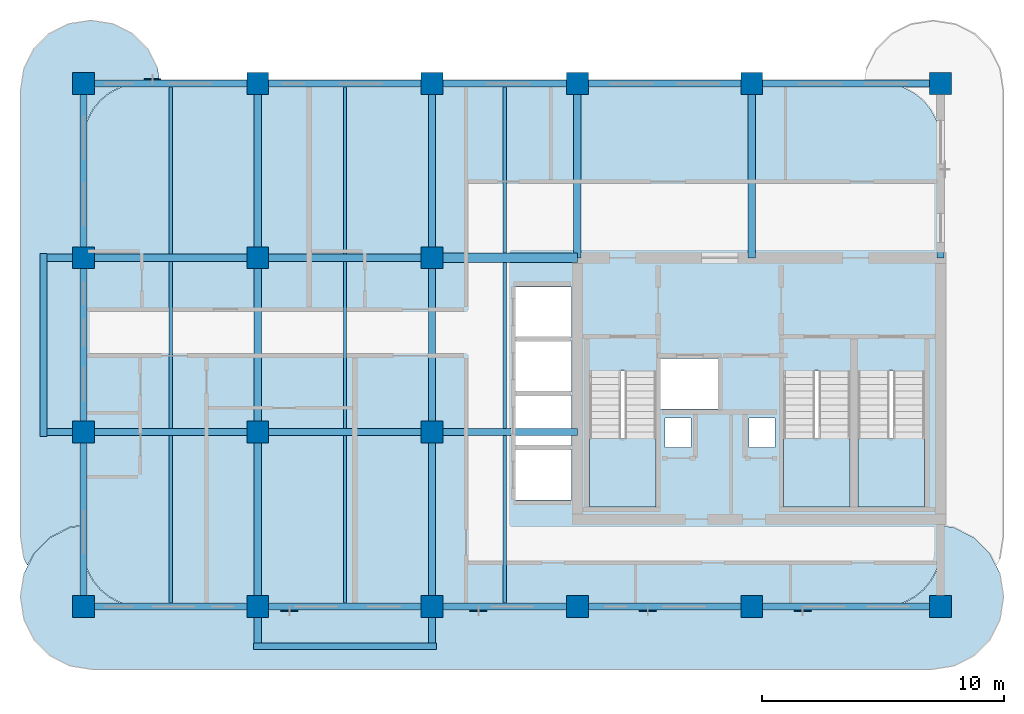
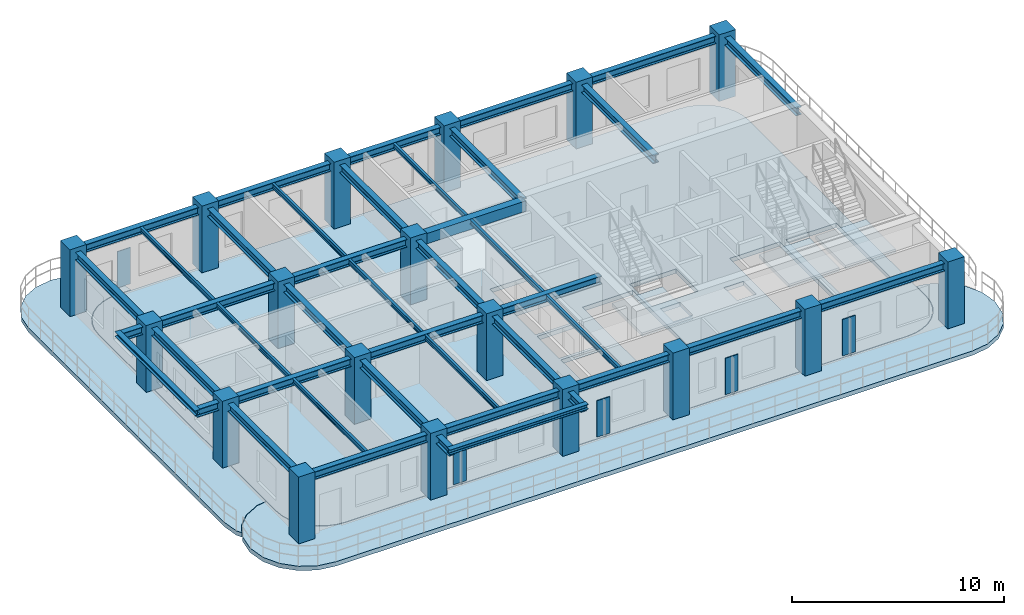
# One storey, part 1 of 7: 39 beams, 18 columns, 6 slabs, 5 plates, 3 elements without a shape of their own.
"""IFC4 building model written with IfcOpenShell, lengths in metres."""

from ifc_helpers import new_model, si_unit, derived_unit, direction, frame, origin, origin_2d, place, context, subcontext, project, spatial, polyline, rectangle, i_section, outline, extrude, source, transform, mapped, material, layer, layer_set, material_profile, profile_set, type_object, type_shapes, element, aggregate, save


model = new_model("IFC4")

# Units and contexts
model_context = context("Model", 3, precision=1e-05, world=origin(), true_north=direction((0.0, 1.0)))
body_context = subcontext(model_context, "Body", "Model", "MODEL_VIEW")
ifc_project = project(units=[si_unit("LENGTHUNIT", "METRE"), si_unit("AREAUNIT", "SQUARE_METRE"), si_unit("VOLUMEUNIT", "CUBIC_METRE"), si_unit("PLANEANGLEUNIT", "RADIAN"), si_unit("MASSUNIT", "GRAM", prefix="KILO"), si_unit("THERMODYNAMICTEMPERATUREUNIT", "KELVIN"), si_unit("POWERUNIT", "WATT"), derived_unit("THERMALTRANSMITTANCEUNIT", [(si_unit("POWERUNIT", "WATT"), 1), (si_unit("AREAUNIT", "SQUARE_METRE"), -1), (si_unit("THERMODYNAMICTEMPERATUREUNIT", "KELVIN"), -1)])], contexts=[model_context])

# Site, building, storey
site_placement = place(None, origin())
site = spatial("IfcSite", under=ifc_project, at=site_placement, CompositionType="ELEMENT")
building_placement = place(site_placement, origin())
building = spatial("IfcBuilding", under=site, at=building_placement, Name="Zahravan Archway Hotel and Residences", CompositionType="ELEMENT")
storey_placement = place(building_placement, frame((0.0, 0.0, 240.39990234375)))
storey = spatial("IfcBuildingStorey", under=building, at=storey_placement, Name="L60", CompositionType="ELEMENT", Elevation=240.39990234375)

# Columns
ifc_material_1 = material(Name="Concrete C60/75", Category="concrete")
ifc_material_profile_1 = material_profile(ifc_material_1, rectangle(XDim=0.89990234375, YDim=0.89990234375, at=origin_2d()), Name="RC-COL-900x900", Category="concrete")
ifc_profile_set_1 = profile_set([ifc_material_profile_1], Name="Concrete C60/75")
column_type = type_object("IfcColumnType", Name="COL-RC-900", PredefinedType="COLUMN", material=ifc_profile_set_1)
shared_shape_1 = source(origin(), body_context, "Body", "SweptSolid", [
    extrude(rectangle(XDim=0.89990234375, YDim=0.89990234375, at=origin_2d()), origin(), (0.0, 0.0, 1.0), 3.85009765625),
])
type_shapes(column_type, [shared_shape_1])
for number, where, z_axis, x_axis, name in (
    (1, (14.39990234375, 0.0, 0.0), (0.0, 0.0, 1.0), (1.0, 0.0, 0.0), "L60 Column 3-A"),
    (2, (14.39990234375, 7.199951171875, 0.0), (0.0, 0.0, 1.0), (1.0, 0.0, 0.0), "L60 Column 3-B"),
    (3, (14.39990234375, 14.39990234375, 0.0), (0.0, 0.0, 1.0), (1.0, 0.0, 0.0), "L60 Column 3-C"),
    (4, (14.39990234375, 21.60009765625, 0.0), (0.0, 0.0, 1.0), (1.0, 0.0, 0.0), "L60 Column 3-D"),
    (5, (21.60009765625, 0.0, 0.0), (0.0, 0.0, 1.0), (1.0, 0.0, 0.0), "L60 Column 4-A"),
    (6, (21.60009765625, 7.199951171875, 0.0), (0.0, 0.0, 1.0), (1.0, 0.0, 0.0), "L60 Column 4-B"),
    (7, (21.60009765625, 14.39990234375, 0.0), (0.0, 0.0, 1.0), (1.0, 0.0, 0.0), "L60 Column 4-C"),
    (8, (21.60009765625, 21.60009765625, 0.0), (0.0, 0.0, 1.0), (1.0, 0.0, 0.0), "L60 Column 4-D"),
    (9, (28.800048828125, 0.0, 0.0), (0.0, 0.0, 1.0), (1.0, 0.0, 0.0), "L60 Column 5-A"),
    (10, (28.800048828125, 7.199951171875, 0.0), (0.0, 0.0, 1.0), (1.0, 0.0, 0.0), "L60 Column 5-B"),
    (11, (28.800048828125, 14.39990234375, 0.0), (0.0, 0.0, 1.0), (1.0, 0.0, 0.0), "L60 Column 5-C"),
    (12, (28.800048828125, 21.60009765625, 0.0), (0.0, 0.0, 1.0), (1.0, 0.0, 0.0), "L60 Column 5-D"),
    (13, (34.800048828125, 0.0, 0.0), (0.0, 0.0, 1.0), (1.0, 0.0, 0.0), "L60 Column 6-A"),
    (14, (34.800048828125, 21.60009765625, 0.0), (0.0, 0.0, 1.0), (1.0, 0.0, 0.0), "L60 Column 6-D"),
    (15, (42.0, 0.0, 0.0), (0.0, 0.0, 1.0), (1.0, 0.0, 0.0), "L60 Column 7-A"),
    (16, (42.0, 21.60009765625, 0.0), (0.0, 0.0, 1.0), (1.0, 0.0, 0.0), "L60 Column 7-D"),
    (17, (49.800048828125, 0.0, 0.0), (0.0, 0.0, 1.0), (1.0, 0.0, 0.0), "L60 Column 8-A"),
    (18, (49.800048828125, 21.60009765625, 0.0), (0.0, 0.0, 1.0), (1.0, 0.0, 0.0), "L60 Column 8-D"),
):
    element("IfcColumn", number, at=place(storey_placement, frame(where, z_axis=z_axis, x_axis=x_axis)), inside=storey, type_object=column_type, Name=name, PredefinedType="COLUMN", context=body_context, shape_type="MappedRepresentation", body=[
        mapped(shared_shape_1, transform((0.0, 0.0, 0.0), scale=1.0)),
    ])

# Beams
ifc_material_2 = material(Name="Structural Steel S355JR", Category="steel")
ifc_material_profile_2 = material_profile(ifc_material_2, i_section(OverallWidth=0.280029296875, OverallDepth=0.280029296875, WebThickness=0.010498046875, FlangeThickness=0.01806640625, FilletRadius=0.02392578125, at=origin_2d()), Name="HEB 280", Category="steel")
ifc_profile_set_2 = profile_set([ifc_material_profile_2], Name="Structural Steel S355JR")
beam_type_1 = type_object("IfcBeamType", Name="BM-SPN-HEB280", PredefinedType="SPANDREL", material=ifc_profile_set_2)
shared_shape_2 = source(origin(), body_context, "Body", "SweptSolid", [
    extrude(i_section(OverallWidth=0.280029296875, OverallDepth=0.280029296875, WebThickness=0.010498046875, FlangeThickness=0.01806640625, FilletRadius=0.02392578125, at=origin_2d()), origin(), (0.0, 0.0, 1.0), 7.56005859375),
])
type_shapes(beam_type_1, [shared_shape_2])
for number, where, z_axis, x_axis, name in (
    (19, (12.75, 7.02001953125, 3.460205078125), (0.0, 1.0, 0.0), (-1.0, 0.0, 0.0), "L61 WA Balcony Edge Spandrel"),
    (20, (21.419921875, -1.64990234375, 3.460205078125), (1.0, 0.0, 0.0), (0.0, 1.0, 0.0), "L61 SA Balcony Edge Spandrel"),
):
    element("IfcBeam", number, at=place(storey_placement, frame(where, z_axis=z_axis, x_axis=x_axis)), inside=storey, type_object=beam_type_1, Name=name, PredefinedType="SPANDREL", context=body_context, shape_type="MappedRepresentation", body=[
        mapped(shared_shape_2, transform((0.0, 0.0, 0.0), scale=1.0)),
    ])
ifc_material_profile_3 = material_profile(ifc_material_1, rectangle(XDim=0.39990234375, YDim=0.60009765625, at=origin_2d()), Name="RC-LNT-400x600", Category="concrete")
ifc_profile_set_3 = profile_set([ifc_material_profile_3], Name="Concrete C60/75")
beam_type_2 = type_object("IfcBeamType", Name="LNT-RC-400x600", PredefinedType="LINTEL", material=ifc_profile_set_3)
shared_shape_3 = source(origin(), body_context, "Body", "SweptSolid", [
    extrude(rectangle(XDim=0.39990234375, YDim=0.60009765625, at=origin_2d()), origin(), (0.0, 0.0, 1.0), 6.0),
])
type_shapes(beam_type_2, [shared_shape_3])
beam_placement = place(storey_placement, frame((28.800048828125, 14.39990234375, 3.300048828125), z_axis=(1.0, 0.0, 0.0), x_axis=(0.0, 1.0, 0.0)))
element("IfcBeam", 21, at=beam_placement, inside=storey, type_object=beam_type_2, Name="L60 Core A Coupling Lintel Beam", PredefinedType="LINTEL", context=body_context, shape_type="MappedRepresentation", body=[
    mapped(shared_shape_3, transform((0.0, 0.0, 0.0), scale=1.0)),
])
ifc_material_profile_4 = material_profile(ifc_material_2, i_section(OverallWidth=0.300048828125, OverallDepth=0.449951171875, WebThickness=0.013916015625, FlangeThickness=0.02587890625, FilletRadius=0.027099609375, at=origin_2d()), Name="HEB 450", Category="steel")
ifc_profile_set_4 = profile_set([ifc_material_profile_4], Name="Structural Steel S355JR")
beam_type_3 = type_object("IfcBeamType", Name="BM-PRI-HEB450", PredefinedType="BEAM", material=ifc_profile_set_4)
shared_shape_4 = source(origin(), body_context, "Body", "SweptSolid", [
    extrude(i_section(OverallWidth=0.300048828125, OverallDepth=0.449951171875, WebThickness=0.013916015625, FlangeThickness=0.02587890625, FilletRadius=0.027099609375, at=origin_2d()), origin(), (0.0, 0.0, 1.0), 7.2001953125),
])
type_shapes(beam_type_3, [shared_shape_4])
for number, where, z_axis, x_axis, name in (
    (22, (14.39990234375, 0.0, 3.375), (1.0, 0.0, 0.0), (0.0, 1.0, 0.0), "L60 Primary Girder EW-01"),
    (23, (14.39990234375, 21.60009765625, 3.375), (1.0, 0.0, 0.0), (0.0, 1.0, 0.0), "L60 Primary Girder EW-11"),
    (24, (14.39990234375, 14.39990234375, 3.375), (0.0, 1.0, 0.0), (-1.0, 0.0, 0.0), "L60 Primary Girder NS-18"),
    (25, (21.60009765625, 14.39990234375, 3.375), (0.0, 1.0, 0.0), (-1.0, 0.0, 0.0), "L60 Primary Girder NS-21"),
    (26, (28.800048828125, 14.39990234375, 3.375), (0.0, 1.0, 0.0), (-1.0, 0.0, 0.0), "L60 Primary Girder NS-24"),
    (27, (34.800048828125, 14.39990234375, 3.375), (0.0, 1.0, 0.0), (-1.0, 0.0, 0.0), "L60 Primary Girder NS-25"),
    (28, (42.0, 14.39990234375, 3.375), (0.0, 1.0, 0.0), (-1.0, 0.0, 0.0), "L60 Primary Girder NS-26"),
    (29, (49.800048828125, 14.39990234375, 3.375), (0.0, 1.0, 0.0), (-1.0, 0.0, 0.0), "L60 Primary Girder NS-27"),
):
    element("IfcBeam", number, at=place(storey_placement, frame(where, z_axis=z_axis, x_axis=x_axis)), inside=storey, type_object=beam_type_3, Name=name, PredefinedType="BEAM", context=body_context, shape_type="MappedRepresentation", body=[
        mapped(shared_shape_4, transform((0.0, 0.0, 0.0), scale=1.0)),
    ])
shared_shape_5 = source(origin(), body_context, "Body", "SweptSolid", [
    extrude(i_section(OverallWidth=0.300048828125, OverallDepth=0.449951171875, WebThickness=0.013916015625, FlangeThickness=0.02587890625, FilletRadius=0.027099609375, at=origin_2d()), origin(), (0.0, 0.0, 1.0), 7.199951171875),
])
for number, where, z_axis, x_axis, name in (
    (30, (21.60009765625, 0.0, 3.375), (1.0, 0.0, 0.0), (0.0, 1.0, 0.0), "L60 Primary Girder EW-02"),
    (31, (34.800048828125, 0.0, 3.375), (1.0, 0.0, 0.0), (0.0, 1.0, 0.0), "L60 Primary Girder EW-04"),
    (32, (21.60009765625, 7.199951171875, 3.375), (1.0, 0.0, 0.0), (0.0, 1.0, 0.0), "L60 Primary Girder EW-07"),
    (33, (21.60009765625, 14.39990234375, 3.375), (1.0, 0.0, 0.0), (0.0, 1.0, 0.0), "L60 Primary Girder EW-10"),
    (34, (21.60009765625, 21.60009765625, 3.375), (1.0, 0.0, 0.0), (0.0, 1.0, 0.0), "L60 Primary Girder EW-12"),
    (35, (34.800048828125, 21.60009765625, 3.375), (1.0, 0.0, 0.0), (0.0, 1.0, 0.0), "L60 Primary Girder EW-14"),
    (36, (14.39990234375, 0.0, 3.375), (0.0, 1.0, 0.0), (-1.0, 0.0, 0.0), "L60 Primary Girder NS-16"),
    (37, (14.39990234375, 7.199951171875, 3.375), (0.0, 1.0, 0.0), (-1.0, 0.0, 0.0), "L60 Primary Girder NS-17"),
    (38, (21.60009765625, 7.199951171875, 3.375), (0.0, 1.0, 0.0), (-1.0, 0.0, 0.0), "L60 Primary Girder NS-20"),
    (39, (28.800048828125, 7.199951171875, 3.375), (0.0, 1.0, 0.0), (-1.0, 0.0, 0.0), "L60 Primary Girder NS-23"),
):
    element("IfcBeam", number, at=place(storey_placement, frame(where, z_axis=z_axis, x_axis=x_axis)), inside=storey, type_object=beam_type_3, Name=name, PredefinedType="BEAM", context=body_context, shape_type="MappedRepresentation", body=[
        mapped(shared_shape_5, transform((0.0, 0.0, 0.0), scale=1.0)),
    ])
shared_shape_6 = source(origin(), body_context, "Body", "SweptSolid", [
    extrude(i_section(OverallWidth=0.300048828125, OverallDepth=0.449951171875, WebThickness=0.013916015625, FlangeThickness=0.02587890625, FilletRadius=0.027099609375, at=origin_2d()), origin(), (0.0, 0.0, 1.0), 6.0),
])
for number, where, z_axis, x_axis, name in (
    (40, (28.800048828125, 0.0, 3.375), (1.0, 0.0, 0.0), (0.0, 1.0, 0.0), "L60 Primary Girder EW-03"),
    (41, (28.800048828125, 7.199951171875, 3.375), (1.0, 0.0, 0.0), (0.0, 1.0, 0.0), "L60 Primary Girder EW-08"),
    (42, (28.800048828125, 21.60009765625, 3.375), (1.0, 0.0, 0.0), (0.0, 1.0, 0.0), "L60 Primary Girder EW-13"),
):
    element("IfcBeam", number, at=place(storey_placement, frame(where, z_axis=z_axis, x_axis=x_axis)), inside=storey, type_object=beam_type_3, Name=name, PredefinedType="BEAM", context=body_context, shape_type="MappedRepresentation", body=[
        mapped(shared_shape_6, transform((0.0, 0.0, 0.0), scale=1.0)),
    ])
shared_shape_7 = source(origin(), body_context, "Body", "SweptSolid", [
    extrude(i_section(OverallWidth=0.300048828125, OverallDepth=0.449951171875, WebThickness=0.013916015625, FlangeThickness=0.02587890625, FilletRadius=0.027099609375, at=origin_2d()), origin(), (0.0, 0.0, 1.0), 7.800048828125),
])
for number, where, z_axis, x_axis, name in (
    (43, (42.0, 0.0, 3.375), (1.0, 0.0, 0.0), (0.0, 1.0, 0.0), "L60 Primary Girder EW-05"),
    (44, (42.0, 21.60009765625, 3.375), (1.0, 0.0, 0.0), (0.0, 1.0, 0.0), "L60 Primary Girder EW-15"),
):
    element("IfcBeam", number, at=place(storey_placement, frame(where, z_axis=z_axis, x_axis=x_axis)), inside=storey, type_object=beam_type_3, Name=name, PredefinedType="BEAM", context=body_context, shape_type="MappedRepresentation", body=[
        mapped(shared_shape_7, transform((0.0, 0.0, 0.0), scale=1.0)),
    ])
ifc_material_profile_5 = material_profile(ifc_material_2, i_section(OverallWidth=0.135009765625, OverallDepth=0.27001953125, WebThickness=0.006591796875, FlangeThickness=0.01025390625, FilletRadius=0.014892578125, at=origin_2d()), Name="IPE 270", Category="steel")
ifc_profile_set_5 = profile_set([ifc_material_profile_5], Name="Structural Steel S355JR")
beam_type_4 = type_object("IfcBeamType", Name="BM-JST-IPE270", PredefinedType="JOIST", material=ifc_profile_set_5)
shared_shape_8 = source(origin(), body_context, "Body", "SweptSolid", [
    extrude(i_section(OverallWidth=0.135009765625, OverallDepth=0.27001953125, WebThickness=0.006591796875, FlangeThickness=0.01025390625, FilletRadius=0.014892578125, at=origin_2d()), origin(), (0.0, 0.0, 1.0), 6.904052734375),
])
type_shapes(beam_type_4, [shared_shape_8])
for number, where, z_axis, x_axis, name in (
    (45, (18.0, 0.14794921875, 3.465087890625), (0.0, 1.0, 0.0), (-1.0, 0.0, 0.0), "L60 Composite Floor Joist 01"),
    (46, (25.199951171875, 0.14794921875, 3.465087890625), (0.0, 1.0, 0.0), (-1.0, 0.0, 0.0), "L60 Composite Floor Joist 02"),
    (47, (31.800048828125, 0.14794921875, 3.465087890625), (0.0, 1.0, 0.0), (-1.0, 0.0, 0.0), "L60 Composite Floor Joist 03"),
    (48, (18.0, 7.347900390625, 3.465087890625), (0.0, 1.0, 0.0), (-1.0, 0.0, 0.0), "L60 Composite Floor Joist 04"),
    (49, (25.199951171875, 7.347900390625, 3.465087890625), (0.0, 1.0, 0.0), (-1.0, 0.0, 0.0), "L60 Composite Floor Joist 05"),
):
    element("IfcBeam", number, at=place(storey_placement, frame(where, z_axis=z_axis, x_axis=x_axis)), inside=storey, type_object=beam_type_4, Name=name, PredefinedType="JOIST", context=body_context, shape_type="MappedRepresentation", body=[
        mapped(shared_shape_8, transform((0.0, 0.0, 0.0), scale=1.0)),
    ])
shared_shape_9 = source(origin(), body_context, "Body", "SweptSolid", [
    extrude(i_section(OverallWidth=0.135009765625, OverallDepth=0.27001953125, WebThickness=0.006591796875, FlangeThickness=0.01025390625, FilletRadius=0.014892578125, at=origin_2d()), origin(), (0.0, 0.0, 1.0), 6.85400390625),
])
for number, where, z_axis, x_axis, name in (
    (50, (31.800048828125, 7.347900390625, 3.465087890625), (0.0, 1.0, 0.0), (-1.0, 0.0, 0.0), "L60 Composite Floor Joist 06"),
    (51, (31.800048828125, 14.597900390625, 3.465087890625), (0.0, 1.0, 0.0), (-1.0, 0.0, 0.0), "L60 Composite Floor Joist 07"),
):
    element("IfcBeam", number, at=place(storey_placement, frame(where, z_axis=z_axis, x_axis=x_axis)), inside=storey, type_object=beam_type_4, Name=name, PredefinedType="JOIST", context=body_context, shape_type="MappedRepresentation", body=[
        mapped(shared_shape_9, transform((0.0, 0.0, 0.0), scale=1.0)),
    ])
shared_shape_10 = source(origin(), body_context, "Body", "SweptSolid", [
    extrude(i_section(OverallWidth=0.135009765625, OverallDepth=0.27001953125, WebThickness=0.006591796875, FlangeThickness=0.01025390625, FilletRadius=0.014892578125, at=origin_2d()), origin(), (0.0, 0.0, 1.0), 6.90380859375),
])
for number, where, z_axis, x_axis, name in (
    (52, (18.0, 14.548095703125, 3.465087890625), (0.0, 1.0, 0.0), (-1.0, 0.0, 0.0), "L60 Composite Floor Joist 08"),
    (53, (25.199951171875, 14.548095703125, 3.465087890625), (0.0, 1.0, 0.0), (-1.0, 0.0, 0.0), "L60 Composite Floor Joist 09"),
):
    element("IfcBeam", number, at=place(storey_placement, frame(where, z_axis=z_axis, x_axis=x_axis)), inside=storey, type_object=beam_type_4, Name=name, PredefinedType="JOIST", context=body_context, shape_type="MappedRepresentation", body=[
        mapped(shared_shape_10, transform((0.0, 0.0, 0.0), scale=1.0)),
    ])
shared_shape_11 = source(origin(), body_context, "Body", "SweptSolid", [
    extrude(i_section(OverallWidth=0.300048828125, OverallDepth=0.449951171875, WebThickness=0.013916015625, FlangeThickness=0.02587890625, FilletRadius=0.027099609375, at=origin_2d()), origin(), (0.0, 0.0, 1.0), 8.85009765625),
])
for number, where, z_axis, x_axis, name in (
    (54, (12.75, 7.199951171875, 3.375), (1.0, 0.0, 0.0), (0.0, 1.0, 0.0), "L60 Primary Girder EW-06"),
    (55, (12.75, 14.39990234375, 3.375), (1.0, 0.0, 0.0), (0.0, 1.0, 0.0), "L60 Primary Girder EW-09"),
):
    element("IfcBeam", number, at=place(storey_placement, frame(where, z_axis=z_axis, x_axis=x_axis)), inside=storey, type_object=beam_type_3, Name=name, PredefinedType="BEAM", context=body_context, shape_type="MappedRepresentation", body=[
        mapped(shared_shape_11, transform((0.0, 0.0, 0.0), scale=1.0)),
    ])
shared_shape_12 = source(origin(), body_context, "Body", "SweptSolid", [
    extrude(i_section(OverallWidth=0.300048828125, OverallDepth=0.449951171875, WebThickness=0.013916015625, FlangeThickness=0.02587890625, FilletRadius=0.027099609375, at=origin_2d()), origin(), (0.0, 0.0, 1.0), 8.849853515625),
])
for number, where, z_axis, x_axis, name in (
    (56, (21.60009765625, -1.64990234375, 3.375), (0.0, 1.0, 0.0), (-1.0, 0.0, 0.0), "L60 Primary Girder NS-19"),
    (57, (28.800048828125, -1.64990234375, 3.375), (0.0, 1.0, 0.0), (-1.0, 0.0, 0.0), "L60 Primary Girder NS-22"),
):
    element("IfcBeam", number, at=place(storey_placement, frame(where, z_axis=z_axis, x_axis=x_axis)), inside=storey, type_object=beam_type_3, Name=name, PredefinedType="BEAM", context=body_context, shape_type="MappedRepresentation", body=[
        mapped(shared_shape_12, transform((0.0, 0.0, 0.0), scale=1.0)),
    ])

# Slabs
ifc_material_3 = material(Name="Concrete C45/55", Category="concrete")
ifc_layer_1 = layer(ifc_material_3, 0.25, Name="Concrete C45/55", Category="concrete")
ifc_layer_set_1 = layer_set([ifc_layer_1], Name="Concrete C45/55")
slab_type_1 = type_object("IfcSlabType", Name="SLB-BALC-250", PredefinedType="FLOOR", material=ifc_layer_set_1)
slab_1_placement = place(storey_placement, frame((0.0, 0.0, -0.25)))
element("IfcSlab", 58, at=slab_1_placement, inside=storey, type_object=slab_type_1, Name="L60 Wing A South Rounded Balcony Band", PredefinedType="FLOOR", context=body_context, shape_type="SweptSolid", body=[
    extrude(outline(polyline([(50.361572265625, 3.255615234375), (51.18408203125, 2.836669921875), (51.836669921875, 2.18408203125), (52.255615234375, 1.361572265625), (52.39990234375, 0.449951171875), (52.39990234375, 0.35009765625), (52.255615234375, -0.5615234375), (51.836669921875, -1.384033203125), (51.18408203125, -2.03662109375), (50.361572265625, -2.45556640625), (49.449951171875, -2.60009765625), (14.75, -2.60009765625), (13.83837890625, -2.45556640625), (13.01611328125, -2.03662109375), (12.36328125, -1.384033203125), (11.9443359375, -0.5615234375), (11.800048828125, 0.35009765625), (11.800048828125, 0.449951171875), (11.9443359375, 1.361572265625), (12.36328125, 2.18408203125), (13.01611328125, 2.836669921875), (13.83837890625, 3.255615234375), (14.3798828125, 3.34130859375), (14.3798828125, 2.39990234375), (14.380126953125, 2.39794921875), (14.42626953125, 1.9296875), (14.426513671875, 1.927978515625), (14.427001953125, 1.926025390625), (14.563720703125, 1.475830078125), (14.564208984375, 1.473876953125), (14.565185546875, 1.47216796875), (14.786865234375, 1.05712890625), (14.787841796875, 1.055419921875), (14.7890625, 1.053955078125), (15.08740234375, 0.690185546875), (15.0888671875, 0.688720703125), (15.090087890625, 0.6875), (15.453857421875, 0.388916015625), (15.45556640625, 0.387939453125), (15.457275390625, 0.386962890625), (15.872314453125, 0.1650390625), (15.873779296875, 0.164306640625), (15.875732421875, 0.16357421875), (16.325927734375, 0.027099609375), (16.327880859375, 0.026611328125), (16.329833984375, 0.026123046875), (16.798095703125, -0.02001953125), (16.800048828125, -0.02001953125), (47.39990234375, -0.02001953125), (47.402099609375, -0.02001953125), (47.8701171875, 0.026123046875), (47.8720703125, 0.026611328125), (47.8740234375, 0.027099609375), (48.32421875, 0.16357421875), (48.326171875, 0.164306640625), (48.327880859375, 0.1650390625), (48.742919921875, 0.386962890625), (48.744384765625, 0.387939453125), (48.74609375, 0.388916015625), (49.10986328125, 0.6875), (49.111083984375, 0.688720703125), (49.112548828125, 0.690185546875), (49.410888671875, 1.053955078125), (49.412109375, 1.055419921875), (49.4130859375, 1.05712890625), (49.635009765625, 1.47216796875), (49.6357421875, 1.473876953125), (49.636474609375, 1.475830078125), (49.77294921875, 1.926025390625), (49.7734375, 1.927978515625), (49.773681640625, 1.9296875), (49.81982421875, 2.39794921875), (49.820068359375, 2.39990234375), (49.820068359375, 3.34130859375), (50.361572265625, 3.255615234375)])), origin(), (0.0, 0.0, 1.0), 0.25),
])
slab_2_placement = place(storey_placement, frame((0.0, 0.0, -0.25)))
element("IfcSlab", 59, at=slab_2_placement, inside=storey, type_object=slab_type_1, Name="L60 Wing A West Rounded Balcony Band", PredefinedType="FLOOR", context=body_context, shape_type="SweptSolid", body=[
    extrude(outline(polyline([(11.939453125, 1.96923828125), (11.800048828125, 2.85009765625), (11.800048828125, 21.35009765625), (11.939453125, 22.230712890625), (12.34423828125, 23.025146484375), (12.974853515625, 23.65576171875), (13.769287109375, 24.060546875), (14.64990234375, 24.199951171875), (14.75, 24.199951171875), (15.630615234375, 24.060546875), (16.42529296875, 23.65576171875), (17.0556640625, 23.025146484375), (17.46044921875, 22.230712890625), (17.55712890625, 21.6201171875), (16.800048828125, 21.6201171875), (16.798095703125, 21.619873046875), (16.329833984375, 21.57373046875), (16.327880859375, 21.573486328125), (16.325927734375, 21.572998046875), (15.875732421875, 21.436279296875), (15.873779296875, 21.435791015625), (15.872314453125, 21.434814453125), (15.457275390625, 21.213134765625), (15.45556640625, 21.212158203125), (15.453857421875, 21.2109375), (15.090087890625, 20.91259765625), (15.0888671875, 20.9111328125), (15.08740234375, 20.909912109375), (14.7890625, 20.546142578125), (14.787841796875, 20.54443359375), (14.786865234375, 20.542724609375), (14.565185546875, 20.127685546875), (14.564208984375, 20.126220703125), (14.563720703125, 20.124267578125), (14.427001953125, 19.674072265625), (14.426513671875, 19.672119140625), (14.42626953125, 19.670166015625), (14.380126953125, 19.201904296875), (14.3798828125, 19.199951171875), (14.3798828125, 3.361328125), (14.37890625, 3.361328125), (14.376953125, 3.361083984375), (13.835205078125, 3.275390625), (13.833251953125, 3.27490234375), (13.831298828125, 3.2744140625), (13.829345703125, 3.2734375), (13.0068359375, 2.8544921875), (13.005126953125, 2.853515625), (13.00341796875, 2.85205078125), (13.001953125, 2.8505859375), (12.349365234375, 2.197998046875), (12.347900390625, 2.196533203125), (12.3466796875, 2.19482421875), (12.345703125, 2.193115234375), (12.08544921875, 1.6826171875), (11.939453125, 1.96923828125)])), origin(), (0.0, 0.0, 1.0), 0.25),
])
ifc_layer_2 = layer(ifc_material_3, 0.25, Name="Concrete C45/55", Category="concrete")
ifc_layer_set_2 = layer_set([ifc_layer_2], Name="Concrete C45/55")
slab_type_2 = type_object("IfcSlabType", Name="SLB-FLR-250", PredefinedType="FLOOR", material=ifc_layer_set_2)
slab_3_placement = place(storey_placement, frame((0.0, 0.0, -0.25)))
element("IfcSlab", 60, at=slab_3_placement, inside=storey, type_object=slab_type_2, Name="L60 Floor Slab WA", PredefinedType="FLOOR", context=body_context, shape_type="SweptSolid", body=[
    extrude(outline(polyline([(47.39990234375, 0.0), (47.8681640625, 0.046142578125), (48.318359375, 0.1826171875), (48.7333984375, 0.404541015625), (49.09716796875, 0.702880859375), (49.3955078125, 1.066650390625), (49.6171875, 1.481689453125), (49.75390625, 1.931884765625), (49.800048828125, 2.39990234375), (49.800048828125, 19.199951171875), (49.75390625, 19.668212890625), (49.6171875, 20.118408203125), (49.3955078125, 20.533447265625), (49.09716796875, 20.897216796875), (48.7333984375, 21.195556640625), (48.318359375, 21.417236328125), (47.8681640625, 21.553955078125), (47.39990234375, 21.60009765625), (16.800048828125, 21.60009765625), (16.331787109375, 21.553955078125), (15.881591796875, 21.417236328125), (15.466552734375, 21.195556640625), (15.102783203125, 20.897216796875), (14.804443359375, 20.533447265625), (14.582763671875, 20.118408203125), (14.446044921875, 19.668212890625), (14.39990234375, 19.199951171875), (14.39990234375, 2.39990234375), (14.446044921875, 1.931884765625), (14.582763671875, 1.481689453125), (14.804443359375, 1.066650390625), (15.102783203125, 0.702880859375), (15.466552734375, 0.404541015625), (15.881591796875, 0.1826171875), (16.331787109375, 0.046142578125), (16.800048828125, 0.0), (47.39990234375, 0.0)]), holes=[polyline([(35.300048828125, 9.72998046875), (35.300048828125, 4.10009765625), (38.0400390625, 4.10009765625), (38.0400390625, 9.72998046875), (35.300048828125, 9.72998046875)]), polyline([(43.320068359375, 9.72998046875), (43.320068359375, 4.10009765625), (46.06005859375, 4.10009765625), (46.06005859375, 9.72998046875), (43.320068359375, 9.72998046875)]), polyline([(46.39990234375, 9.72998046875), (46.39990234375, 4.10009765625), (49.139892578125, 4.10009765625), (49.139892578125, 9.72998046875), (46.39990234375, 9.72998046875)]), polyline([(38.179931640625, 8.14990234375), (40.699951171875, 8.14990234375), (40.699951171875, 10.25), (38.179931640625, 10.25), (38.179931640625, 8.14990234375)]), polyline([(32.25, 4.39990234375), (34.550048828125, 4.39990234375), (34.550048828125, 6.47998046875), (32.25, 6.47998046875), (32.25, 4.39990234375)]), polyline([(32.25, 6.639892578125), (34.550048828125, 6.639892578125), (34.550048828125, 8.719970703125), (32.25, 8.719970703125), (32.25, 6.639892578125)]), polyline([(32.25, 8.8798828125), (34.550048828125, 8.8798828125), (34.550048828125, 10.9599609375), (32.25, 10.9599609375), (32.25, 8.8798828125)]), polyline([(32.25, 11.1201171875), (34.550048828125, 11.1201171875), (34.550048828125, 13.199951171875), (32.25, 13.199951171875), (32.25, 11.1201171875)]), polyline([(38.419921875, 6.56005859375), (39.5, 6.56005859375), (39.5, 7.780029296875), (38.419921875, 7.780029296875), (38.419921875, 6.56005859375)]), polyline([(41.89990234375, 6.56005859375), (42.9599609375, 6.56005859375), (42.9599609375, 7.780029296875), (41.89990234375, 7.780029296875), (41.89990234375, 6.56005859375)])]), origin(), (0.0, 0.0, 1.0), 0.25),
])

# Stair, slab
ifc_material_4 = material(Name="Concrete C50/60", Category="concrete")
stair_type = type_object("IfcStairType", Name="STR-CORE-1300", PredefinedType="HALF_TURN_STAIR", material=ifc_material_4)
stair_1_placement = place(storey_placement, origin())
stair_1 = element("IfcStair", 61, at=stair_1_placement, inside=storey, type_object=stair_type, Name="L60 Core A Exit Stair 1", PredefinedType="HALF_TURN_STAIR")
ifc_layer_3 = layer(ifc_material_4, 0.199951171875, Name="Concrete C50/60", Category="concrete")
ifc_layer_set_3 = layer_set([ifc_layer_3], Name="Concrete C50/60")
slab_type_3 = type_object("IfcSlabType", Name="SLB-LND-200", PredefinedType="LANDING", material=ifc_layer_set_3)
slab_4_placement = place(storey_placement, frame((0.0, 0.0, 1.72509765625)))
slab_4 = element("IfcSlab", 62, at=slab_4_placement, type_object=slab_type_3, Name="ST-A1 landing 1", PredefinedType="LANDING", context=body_context, shape_type="SweptSolid", body=[
    extrude(outline(polyline([(35.300048828125, 6.929931640625), (35.300048828125, 4.10009765625), (38.0400390625, 4.10009765625), (38.0400390625, 6.929931640625), (35.300048828125, 6.929931640625)])), origin(), (0.0, 0.0, 1.0), 0.199951171875),
])
aggregate(stair_1, [slab_4])

stair_2_placement = place(storey_placement, origin())
stair_2 = element("IfcStair", 63, at=stair_2_placement, inside=storey, type_object=stair_type, Name="L60 Core A Exit Stair 2", PredefinedType="HALF_TURN_STAIR")
slab_5_placement = place(storey_placement, frame((0.0, 0.0, 1.72509765625)))
slab_5 = element("IfcSlab", 64, at=slab_5_placement, type_object=slab_type_3, Name="ST-A2 landing 1", PredefinedType="LANDING", context=body_context, shape_type="SweptSolid", body=[
    extrude(outline(polyline([(43.320068359375, 6.929931640625), (43.320068359375, 4.10009765625), (46.06005859375, 4.10009765625), (46.06005859375, 6.929931640625), (43.320068359375, 6.929931640625)])), origin(), (0.0, 0.0, 1.0), 0.199951171875),
])
aggregate(stair_2, [slab_5])

stair_3_placement = place(storey_placement, origin())
stair_3 = element("IfcStair", 65, at=stair_3_placement, inside=storey, type_object=stair_type, Name="L60 Core A Exit Stair 3", PredefinedType="HALF_TURN_STAIR")
slab_6_placement = place(storey_placement, frame((0.0, 0.0, 1.72509765625)))
slab_6 = element("IfcSlab", 66, at=slab_6_placement, type_object=slab_type_3, Name="ST-A3 landing 1", PredefinedType="LANDING", context=body_context, shape_type="SweptSolid", body=[
    extrude(outline(polyline([(46.39990234375, 6.929931640625), (46.39990234375, 4.10009765625), (49.139892578125, 4.10009765625), (49.139892578125, 6.929931640625), (46.39990234375, 6.929931640625)])), origin(), (0.0, 0.0, 1.0), 0.199951171875),
])
aggregate(stair_3, [slab_6])

# Plates
ifc_material_5 = material(Name="Perforated Cast Bronze Jali Lattice")
ifc_layer_4 = layer(ifc_material_5, 0.044921875, Name="Perforated Cast Bronze Jali Lattice")
ifc_layer_set_4 = layer_set([ifc_layer_4], Name="Perforated Cast Bronze Jali Lattice")
plate_type = type_object("IfcPlateType", Name="PLT-JALI-BAY", PredefinedType="USERDEFINED", material=ifc_layer_set_4)
shared_shape_13 = source(origin(), body_context, "Body", "SweptSolid", [
    extrude(rectangle(XDim=0.699951171875, YDim=0.044921875, at=origin_2d()), origin(), (0.0, 0.0, 1.0), 2.10009765625),
])
type_shapes(plate_type, [shared_shape_13])
for number, where, z_axis, x_axis, name in (
    (67, (22.89990234375, -0.177978515625, 0.25), (0.0, 0.0, 1.0), (1.0, 0.0, 0.0), "L60 Perforated Bronze Jali Pier Screen 01"),
    (68, (30.7080078125, -0.177978515625, 0.25), (0.0, 0.0, 1.0), (1.0, 0.0, 0.0), "L60 Perforated Bronze Jali Pier Screen 02"),
    (69, (37.7080078125, -0.177978515625, 0.25), (0.0, 0.0, 1.0), (1.0, 0.0, 0.0), "L60 Perforated Bronze Jali Pier Screen 03"),
    (70, (44.10791015625, -0.177978515625, 0.25), (0.0, 0.0, 1.0), (1.0, 0.0, 0.0), "L60 Perforated Bronze Jali Pier Screen 04"),
    (71, (17.25, 21.778076171875, 0.25), (0.0, 0.0, 1.0), (1.0, 0.0, 0.0), "L60 Perforated Bronze Jali Pier Screen 06"),
):
    element("IfcPlate", number, at=place(storey_placement, frame(where, z_axis=z_axis, x_axis=x_axis)), inside=storey, type_object=plate_type, Name=name, ObjectType="SCREEN", PredefinedType="USERDEFINED", context=body_context, shape_type="MappedRepresentation", body=[
        mapped(shared_shape_13, transform((0.0, 0.0, 0.0), scale=1.0)),
    ])

save(model, "model.ifc")
